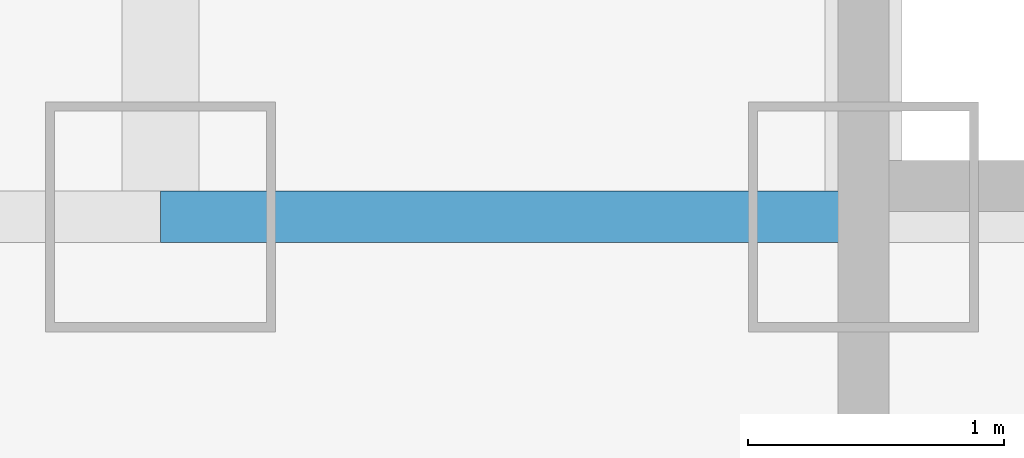
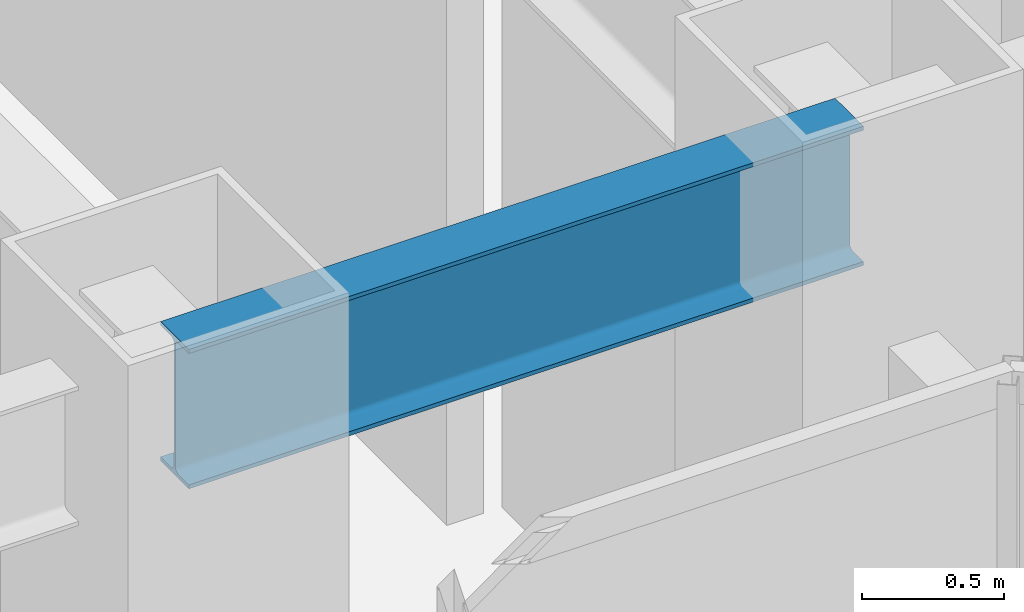
# One storey, part 6 of 36: 1 beam.
"""IFC4 building model written with IfcOpenShell, lengths in metres."""

from ifc_helpers import new_model, si_unit, direction, frame, origin, origin_2d, place, context, subcontext, project, spatial, i_section, extrude, material, material_profile, profile_set, type_object, element, save


model = new_model("IFC4")

# Units and contexts
model_context = context("Model", 3, precision=1e-05, world=origin(), true_north=direction((0.0, 1.0)))
body_context = subcontext(model_context, "Body", "Model", "MODEL_VIEW")
ifc_project = project(units=[si_unit("LENGTHUNIT", "METRE"), si_unit("AREAUNIT", "SQUARE_METRE"), si_unit("VOLUMEUNIT", "CUBIC_METRE"), si_unit("PLANEANGLEUNIT", "RADIAN"), si_unit("MASSUNIT", "GRAM", prefix="KILO")], contexts=[model_context])

# Site, building, storey
site_placement = place(None, origin())
site = spatial("IfcSite", under=ifc_project, at=site_placement, CompositionType="ELEMENT")
building_placement = place(site_placement, origin())
building = spatial("IfcBuilding", under=site, at=building_placement, Name="Hatsunagi Terrace Concourse", CompositionType="ELEMENT")
storey_placement = place(building_placement, frame((0.0, 0.0, 88.0)))
storey = spatial("IfcBuildingStorey", under=building, at=storey_placement, Name="L23", CompositionType="ELEMENT", Elevation=88.0)

# Beam
ifc_material = material(Name="Steel SN490B", Category="steel")
ifc_material_profile = material_profile(ifc_material, i_section(OverallWidth=0.199951171875, OverallDepth=0.60009765625, WebThickness=0.010986328125, FlangeThickness=0.01708984375, FilletRadius=0.01806640625, at=origin_2d()), Name="H-600x200x11x17")
ifc_profile_set = profile_set([ifc_material_profile], Name="Steel SN490B")
beam_type = type_object("IfcBeamType", Name="PerimeterSpandrel_H_600x200", PredefinedType="SPANDREL", material=ifc_profile_set)
beam_placement = place(storey_placement, frame((22.800048828125, 25.199951171875, 2.75), z_axis=(1.0, 0.0, 0.0), x_axis=(0.0, 1.0, 0.0)))
element("IfcBeam", 1, at=beam_placement, inside=storey, type_object=beam_type, Name="Beam SP-01 BM-L23-WS-22", PredefinedType="SPANDREL", context=body_context, shape_type="SweptSolid", body=[
    extrude(i_section(OverallWidth=0.199951171875, OverallDepth=0.60009765625, WebThickness=0.010986328125, FlangeThickness=0.01708984375, FilletRadius=0.01806640625, at=origin_2d()), origin(), (0.0, 0.0, 1.0), 2.75),
])

save(model, "model.ifc")
